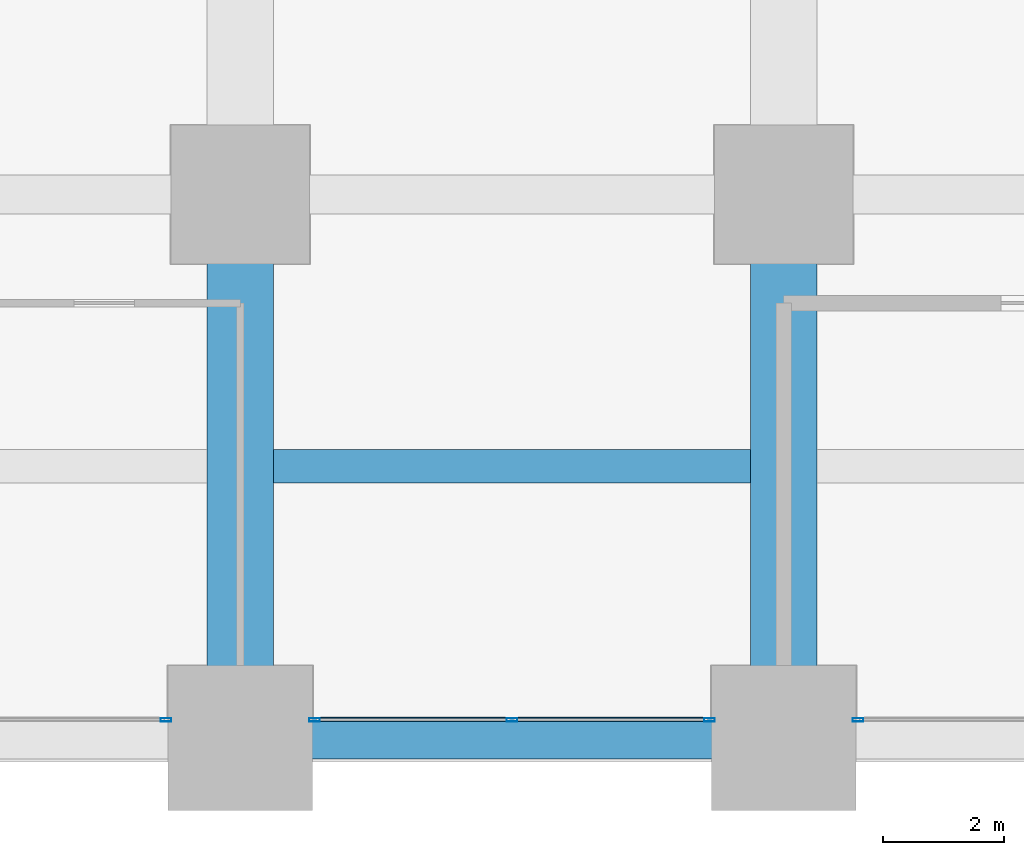
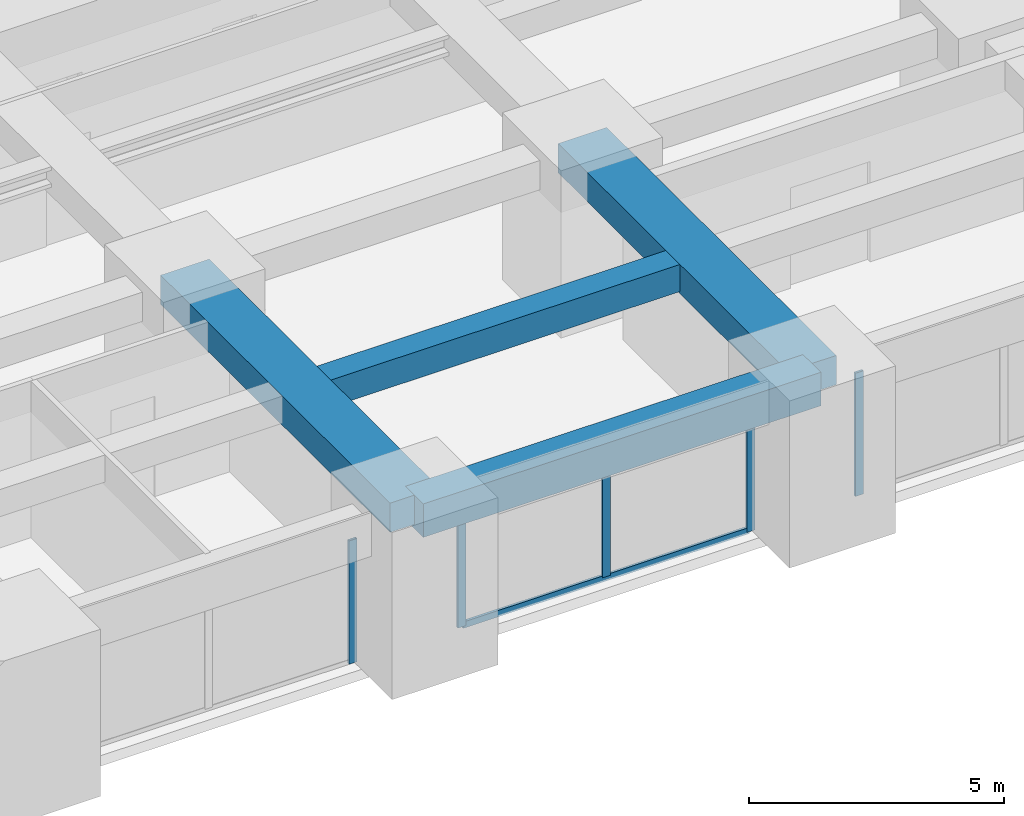
# One storey, part 13 of 44: 6 members, 4 beams, 3 elements without a shape of their own.
"""IFC4 building model written with IfcOpenShell, lengths in metres."""

import ifcopenshell
import ifcopenshell.guid

model = None  # the IFC model being written
_history = None  # IfcOwnerHistory: only IFC2X3 demands one
_inside = {}  # id of a spatial element -> (the spatial element, [elements in it])
_under = {}  # id of a project, library or spatial element -> (it, [spatial elements below it])
_declared = {}  # id of a project -> (the project, [libraries it declares])
_typed = {}  # id of a type object -> (the type object, [elements of that type])
_made_of = {}  # id of a material, layer set ... -> (it, [elements and type objects made of it])


def new_model(schema):
    """Start an empty IFC model of exactly this schema.

    Asked for "IFC4X3", IfcOpenShell would pick the latest addendum, in which some entities
    have other attributes; the version numbers below select the first issue.
    IFC2X3 requires an IfcOwnerHistory on every rooted entity: one is made here for all.
    """
    global model, _history
    if schema == "IFC4X3":
        model = ifcopenshell.file(schema_version=(4, 3, 0, 0))
    else:
        model = ifcopenshell.file(schema=schema)
    _inside.clear()
    _under.clear()
    _declared.clear()
    _typed.clear()
    _made_of.clear()
    _history = None
    if model.schema == "IFC2X3":
        org = make("IfcOrganization", Name="unknown")
        user = make(
            "IfcPersonAndOrganization",
            ThePerson=make("IfcPerson", FamilyName="unknown"),
            TheOrganization=org,
        )
        app = make(
            "IfcApplication",
            ApplicationDeveloper=org,
            Version="unknown",
            ApplicationFullName="unknown",
            ApplicationIdentifier="unknown",
        )
        _history = make(
            "IfcOwnerHistory",
            OwningUser=user,
            OwningApplication=app,
            ChangeAction="ADDED",
            CreationDate=0,
        )
    return model


def make(cls, **values):
    """One entity of the class cls with the attributes given. An attribute that is None is left unset."""
    return model.create_entity(
        cls, **{name: value for name, value in values.items() if value is not None}
    )


def rooted(cls, **values):
    """An entity with a GlobalId (a new one), such as an element, a storey or a relation."""
    return make(cls, GlobalId=ifcopenshell.guid.new(), OwnerHistory=_history, **values)


def si_unit(unit_type, name, prefix=None):
    """IfcSIUnit, for example si_unit("LENGTHUNIT", "METRE", prefix="MILLI")."""
    return make("IfcSIUnit", UnitType=unit_type, Prefix=prefix, Name=name)


def assignment(units):
    """IfcUnitAssignment: the units of a project."""
    return None if units is None else make("IfcUnitAssignment", Units=units)


def point(xyz):
    """IfcCartesianPoint."""
    return None if xyz is None else make("IfcCartesianPoint", Coordinates=xyz)


def direction(xyz):
    """IfcDirection."""
    return None if xyz is None else make("IfcDirection", DirectionRatios=xyz)


def frame(location, z_axis=None, x_axis=None):
    """IfcAxis2Placement3D, a coordinate frame: its origin and axes. An axis left out is left unset."""
    return make(
        "IfcAxis2Placement3D",
        Location=point(location),
        Axis=direction(z_axis),
        RefDirection=direction(x_axis),
    )


def frame_2d(location, x_axis=None):
    """IfcAxis2Placement2D, a coordinate frame in the plane: its origin and x axis."""
    return make(
        "IfcAxis2Placement2D", Location=point(location), RefDirection=direction(x_axis)
    )


def origin():
    """The frame at (0, 0, 0) with its axes left unset."""
    return frame((0.0, 0.0, 0.0))


def origin_2d():
    """The frame at (0, 0) in the plane with its x axis left unset."""
    return frame_2d((0.0, 0.0))


def place(relative_to, where):
    """IfcLocalPlacement: puts the frame where relative to a parent placement (None: the world)."""
    return make(
        "IfcLocalPlacement", PlacementRelTo=relative_to, RelativePlacement=where
    )


def context(
    kind, dimensions, precision=None, world=None, true_north=None, identifier=None
):
    """IfcGeometricRepresentationContext, for example the 3D "Model" context."""
    return make(
        "IfcGeometricRepresentationContext",
        ContextIdentifier=identifier,
        ContextType=kind,
        CoordinateSpaceDimension=dimensions,
        Precision=precision,
        WorldCoordinateSystem=world,
        TrueNorth=true_north,
    )


def subcontext(parent, identifier, kind, view, scale=None):
    """IfcGeometricRepresentationSubContext, for example "Body" below "Model"."""
    return make(
        "IfcGeometricRepresentationSubContext",
        ContextIdentifier=identifier,
        ContextType=kind,
        ParentContext=parent,
        TargetScale=scale,
        TargetView=view,
    )


def project(units=None, contexts=None):
    """IfcProject with its units and contexts."""
    return rooted(
        "IfcProject",
        Name="project",
        RepresentationContexts=contexts,
        UnitsInContext=assignment(units),
    )


def spatial(cls, under=None, at=None, **own):
    """A site, building, storey or space (cls), placed at a placement, below another one or the project."""
    s = rooted(cls, ObjectPlacement=at, **own)
    if under is not None:
        _under.setdefault(under.id(), (under, []))[1].append(s)
    return s


def profile(cls, at=None, kind="AREA", **sizes):
    """A parametric profile (cls). Its sizes go by their IFC names, for example OverallWidth=200.0."""
    return make(cls, ProfileType=kind, Position=at, **sizes)


def rectangle(**sizes):
    """IfcRectangleProfileDef."""
    return profile("IfcRectangleProfileDef", **sizes)


def hollow_rectangle(**sizes):
    """IfcRectangleHollowProfileDef."""
    return profile("IfcRectangleHollowProfileDef", **sizes)


def extrude(swept, where, along, depth):
    """IfcExtrudedAreaSolid: the profile swept, set in the frame where, extruded along a direction by depth."""
    return make(
        "IfcExtrudedAreaSolid",
        SweptArea=swept,
        Position=where,
        ExtrudedDirection=direction(along),
        Depth=depth,
    )


def shape(context_of_items, identifier, shape_type, items):
    """IfcShapeRepresentation: the items that make up one representation, for example the "Body"."""
    return make(
        "IfcShapeRepresentation",
        ContextOfItems=context_of_items,
        RepresentationIdentifier=identifier,
        RepresentationType=shape_type,
        Items=items,
    )


def material(Name=None, Category=None):
    """IfcMaterial."""
    return make("IfcMaterial", Name=Name, Category=Category)


def material_profile(
    of_material, cross_section, Name=None, Category=None, Priority=None
):
    """IfcMaterialProfile: a cross section and its material."""
    return make(
        "IfcMaterialProfile",
        Name=Name,
        Material=of_material,
        Profile=cross_section,
        Priority=Priority,
        Category=Category,
    )


def profile_set(profiles, Name=None, composite=None):
    """IfcMaterialProfileSet."""
    return make(
        "IfcMaterialProfileSet",
        Name=Name,
        MaterialProfiles=profiles,
        CompositeProfile=composite,
    )


def made_of(thing, what):
    """Note that an element or type object is made of a material, layer set ...; save() writes the relation."""
    if what is not None:
        _made_of.setdefault(what.id(), (what, []))[1].append(thing)
    return thing


def type_object(cls, material=None, **own):
    """A type object (cls), such as IfcWallType, which elements share."""
    return made_of(rooted(cls, **own), material)


def element(
    cls,
    number,
    at=None,
    inside=None,
    cuts=None,
    type_object=None,
    material=None,
    context=None,
    identifier="Body",
    shape_type=None,
    held_by="IfcProductDefinitionShape",
    body=None,
    shapes=None,
    **own,
):
    """One element of the class cls, such as IfcWall. Its Tag is "e" and its number.

    at: its placement. inside: the storey or other place that contains it. cuts: it is an
    opening in that element (IfcRelVoidsElement). A single representation is given by context,
    identifier, shape_type and body (its items); several are given by shapes. held_by: the class
    of the entity that holds the representations. save() writes the other relations.
    """
    e = rooted(cls, Tag="e%d" % number, ObjectPlacement=at, **own)
    if body is not None:
        shapes = [shape(context, identifier, shape_type, body)]
    if shapes is not None:
        e.Representation = make(held_by, Representations=shapes)
    if inside is not None:
        _inside.setdefault(inside.id(), (inside, []))[1].append(e)
    if cuts is not None:
        rooted(
            "IfcRelVoidsElement", RelatingBuildingElement=cuts, RelatedOpeningElement=e
        )
    if type_object is not None:
        _typed.setdefault(type_object.id(), (type_object, []))[1].append(e)
    return made_of(e, material)


def aggregate(whole, parts):
    """IfcRelAggregates: a whole, such as a stair, and the parts it consists of."""
    return rooted("IfcRelAggregates", RelatingObject=whole, RelatedObjects=parts)


def save(model, path):
    """Write the relations noted so far, then the file.

    IfcRelAggregates (storeys below a building ...), IfcRelContainedInSpatialStructure (elements
    in a storey), IfcRelDefinesByType, IfcRelAssociatesMaterial and IfcRelDeclares: one each for
    every whole, place, type object, material and project.
    """
    for whole, parts in _under.values():
        aggregate(whole, parts)
    for where, things in _inside.values():
        rooted(
            "IfcRelContainedInSpatialStructure",
            RelatedElements=things,
            RelatingStructure=where,
        )
    for kind, things in _typed.values():
        rooted("IfcRelDefinesByType", RelatedObjects=things, RelatingType=kind)
    for what, things in _made_of.values():
        rooted("IfcRelAssociatesMaterial", RelatedObjects=things, RelatingMaterial=what)
    for by, libraries in _declared.values():
        rooted("IfcRelDeclares", RelatingContext=by, RelatedDefinitions=libraries)
    model.write(path)


model = new_model("IFC4")

# Units and contexts
model_context = context("Model", 3, precision=1e-05, world=origin(), true_north=direction((0.0, 1.0)))
body_context = subcontext(model_context, "Body", "Model", "MODEL_VIEW")
ifc_project = project(units=[si_unit("LENGTHUNIT", "METRE"), si_unit("AREAUNIT", "SQUARE_METRE"), si_unit("VOLUMEUNIT", "CUBIC_METRE"), si_unit("PLANEANGLEUNIT", "RADIAN"), si_unit("MASSUNIT", "GRAM", prefix="KILO")], contexts=[model_context])

# Site, building, storey
site_placement = place(None, origin())
site = spatial("IfcSite", under=ifc_project, at=site_placement, CompositionType="ELEMENT")
building_placement = place(site_placement, origin())
building = spatial("IfcBuilding", under=site, at=building_placement, Name="Zorevar Civic Tower", CompositionType="ELEMENT")
storey_placement = place(building_placement, frame((0.0, 0.0, 31.800048828125)))
storey = spatial("IfcBuildingStorey", under=building, at=storey_placement, Name="L07", CompositionType="ELEMENT", Elevation=31.800048828125)

# Beams
ifc_material_1 = material(Name="Concrete C50/60", Category="concrete")
ifc_material_profile_1 = material_profile(ifc_material_1, rectangle(XDim=1.10009765625, YDim=0.699951171875, at=origin_2d()), Name="RC 1100x700")
ifc_profile_set_1 = profile_set([ifc_material_profile_1], Name="Concrete C50/60")
beam_type_1 = type_object("IfcBeamType", Name="Beam RC 1100x700", PredefinedType="BEAM", material=ifc_profile_set_1)
for number, where, z_axis, x_axis, name in (
    (1, (36.0, 0.0, 3.39990234375), (0.0, 1.0, 0.0), (-1.0, 0.0, 0.0), "Girder L08"),
    (2, (45.0, 0.0, 3.39990234375), (0.0, 1.0, 0.0), (-1.0, 0.0, 0.0), "Girder L08"),
):
    element("IfcBeam", number, at=place(storey_placement, frame(where, z_axis=z_axis, x_axis=x_axis)), inside=storey, type_object=beam_type_1, Name=name, PredefinedType="BEAM", context=body_context, shape_type="SweptSolid", body=[
        extrude(rectangle(XDim=1.10009765625, YDim=0.699951171875, at=origin_2d()), origin(), (0.0, 0.0, 1.0), 9.0),
    ])
ifc_material_2 = material(Name="Concrete C50/60", Category="concrete")
ifc_material_profile_2 = material_profile(ifc_material_2, rectangle(XDim=0.550048828125, YDim=0.64990234375, at=origin_2d()), Name="RC 550x650")
ifc_profile_set_2 = profile_set([ifc_material_profile_2], Name="Concrete C50/60")
beam_type_2 = type_object("IfcBeamType", Name="Beam RC 550x650", PredefinedType="BEAM", material=ifc_profile_set_2)
beam_1_placement = place(storey_placement, frame((36.550048828125, 4.5, 3.425048828125), z_axis=(1.0, 0.0, 0.0), x_axis=(0.0, 1.0, 0.0)))
element("IfcBeam", 3, at=beam_1_placement, inside=storey, type_object=beam_type_2, Name="Secondary beam L08", PredefinedType="BEAM", context=body_context, shape_type="SweptSolid", body=[
    extrude(rectangle(XDim=0.550048828125, YDim=0.64990234375, at=origin_2d()), origin(), (0.0, 0.0, 1.0), 7.89990234375),
])

# Curtain wall, member
ifc_material_3 = material(Name="Dark grey solar-control glass in black aluminium frame", Category="aluminium")
curtain_wall_type = type_object("IfcCurtainWallType", Name="Curtain wall CW2 low zone", PredefinedType="NOTDEFINED", material=ifc_material_3)
curtain_wall_1_placement = place(storey_placement, origin())
curtain_wall_1 = element("IfcCurtainWall", 4, at=curtain_wall_1_placement, inside=storey, type_object=curtain_wall_type, Name="CW2 L07", PredefinedType="NOTDEFINED")
ifc_material_4 = material(Name="Aluminium, black anodised", Category="aluminium")
ifc_material_profile_3 = material_profile(ifc_material_4, hollow_rectangle(XDim=0.06005859375, YDim=0.179931640625, WallThickness=0.00390625, at=origin_2d()), Name="AL 180x60x4")
ifc_profile_set_3 = profile_set([ifc_material_profile_3], Name="Aluminium, black anodised")
member_type_1 = type_object("IfcMemberType", Name="CW2 mullion AL 180x60x4", PredefinedType="MULLION", material=ifc_profile_set_3)
member_1_placement = place(storey_placement, frame((34.77001953125, 0.300048828125, 0.0), z_axis=(0.0, 0.0, 1.0), x_axis=(0.0, 1.0, 0.0)))
member_1 = element("IfcMember", 5, at=member_1_placement, type_object=member_type_1, Name="CW2 mullion 3", PredefinedType="MULLION", context=body_context, shape_type="SweptSolid", body=[
    extrude(hollow_rectangle(XDim=0.06005859375, YDim=0.179931640625, WallThickness=0.00390625, at=origin_2d()), origin(), (0.0, 0.0, 1.0), 2.949951171875),
])
aggregate(curtain_wall_1, [member_1])

# Curtain wall, members
curtain_wall_2_placement = place(storey_placement, origin())
curtain_wall_2 = element("IfcCurtainWall", 6, at=curtain_wall_2_placement, inside=storey, type_object=curtain_wall_type, Name="CW2 L07", PredefinedType="NOTDEFINED")
member_2_placement = place(storey_placement, frame((37.22998046875, 0.300048828125, 0.0), z_axis=(0.0, 0.0, 1.0), x_axis=(0.0, 1.0, 0.0)))
member_2 = element("IfcMember", 7, at=member_2_placement, type_object=member_type_1, Name="CW2 mullion 1", PredefinedType="MULLION", context=body_context, shape_type="SweptSolid", body=[
    extrude(hollow_rectangle(XDim=0.06005859375, YDim=0.179931640625, WallThickness=0.00390625, at=origin_2d()), origin(), (0.0, 0.0, 1.0), 2.949951171875),
])
member_3_placement = place(storey_placement, frame((40.5, 0.300048828125, 0.06005859375), z_axis=(0.0, 0.0, 1.0), x_axis=(0.0, 1.0, 0.0)))
member_3 = element("IfcMember", 8, at=member_3_placement, type_object=member_type_1, Name="CW2 mullion 2", PredefinedType="MULLION", context=body_context, shape_type="SweptSolid", body=[
    extrude(hollow_rectangle(XDim=0.06005859375, YDim=0.179931640625, WallThickness=0.00390625, at=origin_2d()), origin(), (0.0, 0.0, 1.0), 2.889892578125),
])
member_4_placement = place(storey_placement, frame((43.77001953125, 0.300048828125, 0.0), z_axis=(0.0, 0.0, 1.0), x_axis=(0.0, 1.0, 0.0)))
member_4 = element("IfcMember", 9, at=member_4_placement, type_object=member_type_1, Name="CW2 mullion 3", PredefinedType="MULLION", context=body_context, shape_type="SweptSolid", body=[
    extrude(hollow_rectangle(XDim=0.06005859375, YDim=0.179931640625, WallThickness=0.00390625, at=origin_2d()), origin(), (0.0, 0.0, 1.0), 2.949951171875),
])

# Curtain wall, member
curtain_wall_3_placement = place(storey_placement, origin())
curtain_wall_3 = element("IfcCurtainWall", 10, at=curtain_wall_3_placement, inside=storey, type_object=curtain_wall_type, Name="CW2 L07", PredefinedType="NOTDEFINED")
member_5_placement = place(storey_placement, frame((46.22998046875, 0.300048828125, 0.0), z_axis=(0.0, 0.0, 1.0), x_axis=(0.0, 1.0, 0.0)))
member_5 = element("IfcMember", 11, at=member_5_placement, type_object=member_type_1, Name="CW2 mullion 1", PredefinedType="MULLION", context=body_context, shape_type="SweptSolid", body=[
    extrude(hollow_rectangle(XDim=0.06005859375, YDim=0.179931640625, WallThickness=0.00390625, at=origin_2d()), origin(), (0.0, 0.0, 1.0), 2.949951171875),
])
aggregate(curtain_wall_3, [member_5])

# Member
ifc_material_5 = material(Name="Aluminium, black anodised", Category="aluminium")
ifc_material_profile_4 = material_profile(ifc_material_5, hollow_rectangle(XDim=0.06005859375, YDim=0.14990234375, WallThickness=0.00390625, at=origin_2d()), Name="AL 150x60x4")
ifc_profile_set_4 = profile_set([ifc_material_profile_4], Name="Aluminium, black anodised")
member_type_2 = type_object("IfcMemberType", Name="CW2 transom AL 150x60x4", PredefinedType="USERDEFINED", material=ifc_profile_set_4)
member_6_placement = place(storey_placement, frame((37.260009765625, 0.300048828125, 0.030029296875), z_axis=(1.0, 0.0, 0.0), x_axis=(0.0, 1.0, 0.0)))
member_6 = element("IfcMember", 12, at=member_6_placement, type_object=member_type_2, Name="CW2 sill transom", ObjectType="TRANSOM", PredefinedType="USERDEFINED", context=body_context, shape_type="SweptSolid", body=[
    extrude(hollow_rectangle(XDim=0.06005859375, YDim=0.14990234375, WallThickness=0.00390625, at=origin_2d()), origin(), (0.0, 0.0, 1.0), 6.47998046875),
])

aggregate(curtain_wall_2, [member_2, member_3, member_4, member_6])

# Beam
ifc_material_6 = material(Name="Concrete C50/60", Category="concrete")
ifc_material_profile_5 = material_profile(ifc_material_6, rectangle(XDim=0.699951171875, YDim=0.800048828125, at=origin_2d()), Name="RC 700x800")
ifc_profile_set_5 = profile_set([ifc_material_profile_5], Name="Concrete C50/60")
beam_type_3 = type_object("IfcBeamType", Name="Edge beam RC 700x800", PredefinedType="SPANDREL", material=ifc_profile_set_5)
beam_2_placement = place(storey_placement, frame((36.0, 0.0, 3.349853515625), z_axis=(1.0, 0.0, 0.0), x_axis=(0.0, 1.0, 0.0)))
element("IfcBeam", 13, at=beam_2_placement, inside=storey, type_object=beam_type_3, Name="Edge beam L08", PredefinedType="SPANDREL", context=body_context, shape_type="SweptSolid", body=[
    extrude(rectangle(XDim=0.699951171875, YDim=0.800048828125, at=origin_2d()), origin(), (0.0, 0.0, 1.0), 9.0),
])

save(model, "model.ifc")
